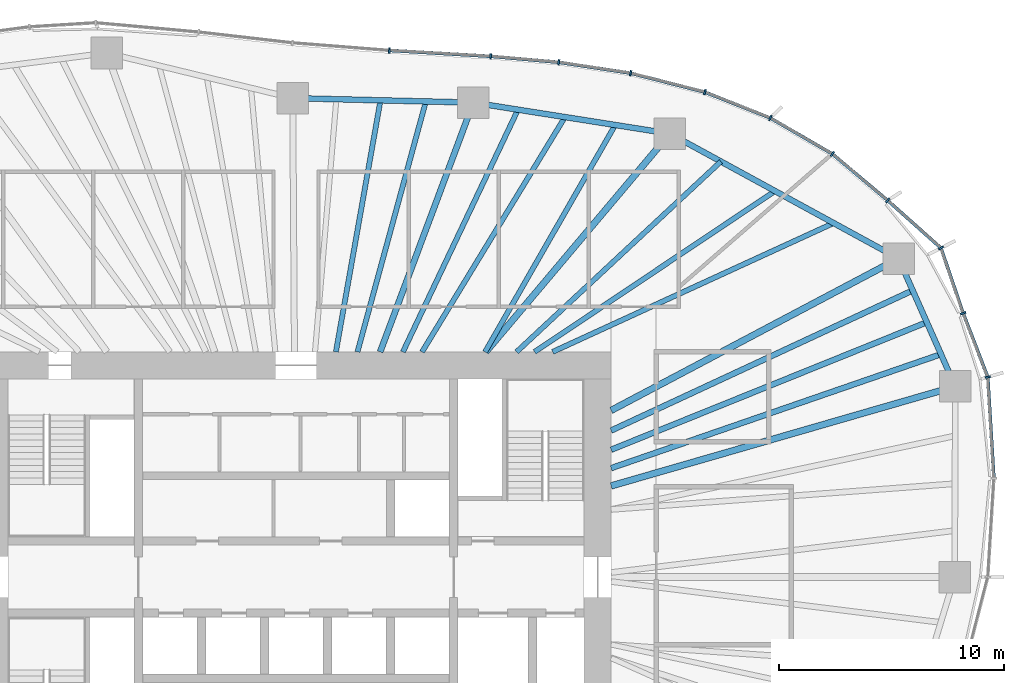
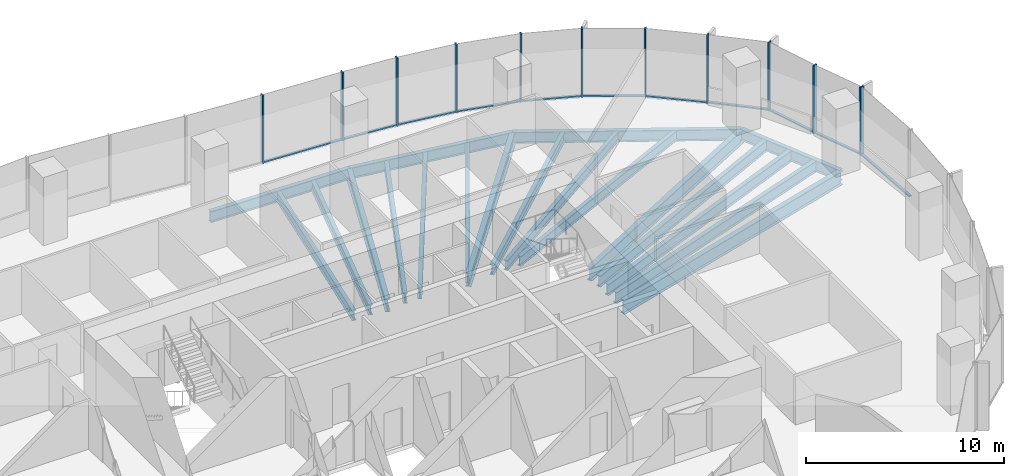
# One storey, part 6 of 18: 22 members, 19 beams, 5 elements without a shape of their own.
"""IFC4 building model written with IfcOpenShell, lengths in metres."""

from ifc_helpers import new_model, si_unit, direction, frame, origin, origin_2d, place, context, subcontext, project, spatial, rectangle, i_section, extrude, material, material_profile, profile_set, type_object, element, aggregate, save


model = new_model("IFC4")

# Units and contexts
model_context = context("Model", 3, precision=1e-05, world=origin(), true_north=direction((0.0, 1.0)))
body_context = subcontext(model_context, "Body", "Model", "MODEL_VIEW")
ifc_project = project(units=[si_unit("LENGTHUNIT", "METRE"), si_unit("AREAUNIT", "SQUARE_METRE"), si_unit("VOLUMEUNIT", "CUBIC_METRE"), si_unit("PLANEANGLEUNIT", "RADIAN"), si_unit("MASSUNIT", "GRAM", prefix="KILO")], contexts=[model_context])

# Site, building, storey
site_placement = place(None, origin())
site = spatial("IfcSite", under=ifc_project, at=site_placement, CompositionType="ELEMENT")
building_placement = place(site_placement, origin())
building = spatial("IfcBuilding", under=site, at=building_placement, Name="Ghaith Harvest Tower", CompositionType="ELEMENT")
storey_placement = place(building_placement, frame((0.0, 0.0, 168.0)))
storey = spatial("IfcBuildingStorey", under=building, at=storey_placement, Name="L36", CompositionType="ELEMENT", Elevation=168.0)

# Curtain wall, members
ifc_material_1 = material(Name="Black anodised aluminium and fritted glass", Category="aluminium")
curtain_wall_type = type_object("IfcCurtainWallType", Name="CW-L CURTAIN WALL", PredefinedType="NOTDEFINED", material=ifc_material_1)
curtain_wall_1_placement = place(storey_placement, origin())
curtain_wall_1 = element("IfcCurtainWall", 1, at=curtain_wall_1_placement, inside=storey, type_object=curtain_wall_type, Name="Curtain wall CW-L bay 02 L36", PredefinedType="NOTDEFINED")
ifc_material_2 = material(Name="Aluminium, black anodised", Category="aluminium")
ifc_material_profile_1 = material_profile(ifc_material_2, rectangle(XDim=0.080078125, YDim=0.239990234375, at=origin_2d()), Name="CW-L MULLION 80x240")
ifc_profile_set_1 = profile_set([ifc_material_profile_1], Name="Aluminium, black anodised")
member_type_1 = type_object("IfcMemberType", Name="CW-L MULLION 80x240", PredefinedType="MULLION", material=ifc_profile_set_1)
member_1_placement = place(storey_placement, frame((30.727294921875, 8.880859375, 0.0), z_axis=(0.0, 0.0, 1.0), x_axis=(-0.183070248196, 0.983099834313, 0.0)))
member_1 = element("IfcMember", 2, at=member_1_placement, type_object=member_type_1, Name="CW-L mullion 1 bay 02 L36", PredefinedType="MULLION", context=body_context, shape_type="SweptSolid", body=[
    extrude(rectangle(XDim=0.080078125, YDim=0.239990234375, at=origin_2d()), origin(), (0.0, 0.0, 1.0), 4.199951171875),
])
member_2_placement = place(storey_placement, frame((29.634521484375, 11.7158203125, 0.0), z_axis=(0.0, 0.0, 1.0), x_axis=(-0.340771198528, 0.940146260033, 0.0)))
member_2 = element("IfcMember", 3, at=member_2_placement, type_object=member_type_1, Name="CW-L mullion 2 bay 02 L36", PredefinedType="MULLION", context=body_context, shape_type="SweptSolid", body=[
    extrude(rectangle(XDim=0.080078125, YDim=0.239990234375, at=origin_2d()), origin(), (0.0, 0.0, 1.0), 4.199951171875),
])
member_3_placement = place(storey_placement, frame((28.64990234375, 14.61181640625, 0.0), z_axis=(0.0, 0.0, 1.0), x_axis=(-0.556324287652, 0.830965274225, 0.0)))
member_3 = element("IfcMember", 4, at=member_3_placement, type_object=member_type_1, Name="CW-L mullion 3 bay 02 L36", PredefinedType="MULLION", context=body_context, shape_type="SweptSolid", body=[
    extrude(rectangle(XDim=0.080078125, YDim=0.239990234375, at=origin_2d()), origin(), (0.0, 0.0, 1.0), 4.199951171875),
])

curtain_wall_2_placement = place(storey_placement, origin())
curtain_wall_2 = element("IfcCurtainWall", 5, at=curtain_wall_2_placement, inside=storey, type_object=curtain_wall_type, Name="Curtain wall CW-L bay 03 L36", PredefinedType="NOTDEFINED")
member_4_placement = place(storey_placement, frame((26.28076171875, 16.725341796875, 0.0), z_axis=(0.0, 0.0, 1.0), x_axis=(-0.755999423268, 0.654572281737, 0.0)))
member_4 = element("IfcMember", 6, at=member_4_placement, type_object=member_type_1, Name="CW-L mullion 1 bay 03 L36", PredefinedType="MULLION", context=body_context, shape_type="SweptSolid", body=[
    extrude(rectangle(XDim=0.080078125, YDim=0.239990234375, at=origin_2d()), origin(), (0.0, 0.0, 1.0), 4.199951171875),
])
member_5_placement = place(storey_placement, frame((23.82177734375, 18.792236328125, 0.0), z_axis=(0.0, 0.0, 1.0), x_axis=(-0.818228862146, 0.574892624018, 0.0)))
member_5 = element("IfcMember", 7, at=member_5_placement, type_object=member_type_1, Name="CW-L mullion 2 bay 03 L36", PredefinedType="MULLION", context=body_context, shape_type="SweptSolid", body=[
    extrude(rectangle(XDim=0.080078125, YDim=0.239990234375, at=origin_2d()), origin(), (0.0, 0.0, 1.0), 4.199951171875),
])
member_6_placement = place(storey_placement, frame((21.066162109375, 20.38916015625, 0.0), z_axis=(0.0, 0.0, 1.0), x_axis=(-0.899713343282, 0.436481270985, 0.0)))
member_6 = element("IfcMember", 8, at=member_6_placement, type_object=member_type_1, Name="CW-L mullion 3 bay 03 L36", PredefinedType="MULLION", context=body_context, shape_type="SweptSolid", body=[
    extrude(rectangle(XDim=0.080078125, YDim=0.239990234375, at=origin_2d()), origin(), (0.0, 0.0, 1.0), 4.199951171875),
])

curtain_wall_3_placement = place(storey_placement, origin())
curtain_wall_3 = element("IfcCurtainWall", 9, at=curtain_wall_3_placement, inside=storey, type_object=curtain_wall_type, Name="Curtain wall CW-L bay 04 L36", PredefinedType="NOTDEFINED")
member_7_placement = place(storey_placement, frame((18.162353515625, 21.537841796875, 0.0), z_axis=(0.0, 0.0, 1.0), x_axis=(-0.952152258113, 0.30562407852, 0.0)))
member_7 = element("IfcMember", 10, at=member_7_placement, type_object=member_type_1, Name="CW-L mullion 1 bay 04 L36", PredefinedType="MULLION", context=body_context, shape_type="SweptSolid", body=[
    extrude(rectangle(XDim=0.080078125, YDim=0.239990234375, at=origin_2d()), origin(), (0.0, 0.0, 1.0), 4.199951171875),
])
member_8_placement = place(storey_placement, frame((14.86474609375, 22.379638671875, 0.0), z_axis=(0.0, 0.0, 1.0), x_axis=(-0.979751952122, 0.200215165041, 0.0)))
member_8 = element("IfcMember", 11, at=member_8_placement, type_object=member_type_1, Name="CW-L mullion 2 bay 04 L36", PredefinedType="MULLION", context=body_context, shape_type="SweptSolid", body=[
    extrude(rectangle(XDim=0.080078125, YDim=0.239990234375, at=origin_2d()), origin(), (0.0, 0.0, 1.0), 4.199951171875),
])
member_9_placement = place(storey_placement, frame((11.672607421875, 22.864013671875, 0.0), z_axis=(0.0, 0.0, 1.0), x_axis=(-0.992800497873, 0.119779678673, 0.0)))
member_9 = element("IfcMember", 12, at=member_9_placement, type_object=member_type_1, Name="CW-L mullion 3 bay 04 L36", PredefinedType="MULLION", context=body_context, shape_type="SweptSolid", body=[
    extrude(rectangle(XDim=0.080078125, YDim=0.239990234375, at=origin_2d()), origin(), (0.0, 0.0, 1.0), 4.199951171875),
])

curtain_wall_4_placement = place(storey_placement, origin())
curtain_wall_4 = element("IfcCurtainWall", 13, at=curtain_wall_4_placement, inside=storey, type_object=curtain_wall_type, Name="Curtain wall CW-L bay 05 L36", PredefinedType="NOTDEFINED")
member_10_placement = place(storey_placement, frame((8.646728515625, 23.1298828125, 0.0), z_axis=(0.0, 0.0, 1.0), x_axis=(-0.997558767319, 0.069831982257, 0.0)))
member_10 = element("IfcMember", 14, at=member_10_placement, type_object=member_type_1, Name="CW-L mullion 1 bay 05 L36", PredefinedType="MULLION", context=body_context, shape_type="SweptSolid", body=[
    extrude(rectangle(XDim=0.080078125, YDim=0.239990234375, at=origin_2d()), origin(), (0.0, 0.0, 1.0), 4.199951171875),
])
member_11_placement = place(storey_placement, frame((4.146728515625, 23.390869140625, 0.0), z_axis=(0.0, 0.0, 1.0), x_axis=(-0.997689895047, 0.067932858925, 0.0)))
member_11 = element("IfcMember", 15, at=member_11_placement, type_object=member_type_1, Name="CW-L mullion 2 bay 05 L36", PredefinedType="MULLION", context=body_context, shape_type="SweptSolid", body=[
    extrude(rectangle(XDim=0.080078125, YDim=0.239990234375, at=origin_2d()), origin(), (0.0, 0.0, 1.0), 4.199951171875),
])

# Curtain wall, member
curtain_wall_5_placement = place(storey_placement, origin())
curtain_wall_5 = element("IfcCurtainWall", 16, at=curtain_wall_5_placement, inside=storey, type_object=curtain_wall_type, Name="Curtain wall CW-L bay 01 L36", PredefinedType="NOTDEFINED")
ifc_material_3 = material(Name="Aluminium, black anodised", Category="aluminium")
ifc_material_profile_2 = material_profile(ifc_material_3, rectangle(XDim=0.14990234375, YDim=0.080078125, at=origin_2d()), Name="CW-L TRANSOM 150x80")
ifc_profile_set_2 = profile_set([ifc_material_profile_2], Name="Aluminium, black anodised")
member_type_2 = type_object("IfcMemberType", Name="CW-L TRANSOM 150x80", PredefinedType="USERDEFINED", material=ifc_profile_set_2)
member_12_placement = place(storey_placement, frame((30.996337890625, 4.4296875, 0.0400390625), z_axis=(-0.060328261132, 0.99817859169, 0.0), x_axis=(-0.99817859169, -0.060328261132, 0.0)))
member_12 = element("IfcMember", 17, at=member_12_placement, type_object=member_type_2, Name="CW-L transom 2 bay 01 L36", ObjectType="TRANSOM", PredefinedType="USERDEFINED", context=body_context, shape_type="SweptSolid", body=[
    extrude(rectangle(XDim=0.14990234375, YDim=0.080078125, at=origin_2d()), origin(), (0.0, 0.0, 1.0), 4.419189453125),
])
aggregate(curtain_wall_5, [member_12])

# Member
member_13_placement = place(storey_placement, frame((30.712890625, 8.918212890625, 0.0400390625), z_axis=(-0.359637050526, 0.933092274048, 0.0), x_axis=(-0.933092274048, -0.359637050526, 0.0)))
member_13 = element("IfcMember", 18, at=member_13_placement, type_object=member_type_2, Name="CW-L transom 1 bay 02 L36", ObjectType="TRANSOM", PredefinedType="USERDEFINED", context=body_context, shape_type="SweptSolid", body=[
    extrude(rectangle(XDim=0.14990234375, YDim=0.080078125, at=origin_2d()), origin(), (0.0, 0.0, 1.0), 2.95849609375),
])

member_14_placement = place(storey_placement, frame((29.62158203125, 11.75390625, 0.0400390625), z_axis=(-0.321877752664, 0.946781237847, 0.0), x_axis=(-0.946781237847, -0.321877752664, 0.0)))
member_14 = element("IfcMember", 19, at=member_14_placement, type_object=member_type_2, Name="CW-L transom 2 bay 02 L36", ObjectType="TRANSOM", PredefinedType="USERDEFINED", context=body_context, shape_type="SweptSolid", body=[
    extrude(rectangle(XDim=0.14990234375, YDim=0.080078125, at=origin_2d()), origin(), (0.0, 0.0, 1.0), 2.978515625),
])

member_15_placement = place(storey_placement, frame((28.6201171875, 14.638427734375, 0.0400390625), z_axis=(-0.74622871112, 0.665689650438, 0.0), x_axis=(-0.665689650438, -0.74622871112, 0.0)))
member_15 = element("IfcMember", 20, at=member_15_placement, type_object=member_type_2, Name="CW-L transom 3 bay 02 L36", ObjectType="TRANSOM", PredefinedType="USERDEFINED", context=body_context, shape_type="SweptSolid", body=[
    extrude(rectangle(XDim=0.14990234375, YDim=0.080078125, at=origin_2d()), origin(), (0.0, 0.0, 1.0), 3.094970703125),
])

aggregate(curtain_wall_1, [member_1, member_13, member_2, member_14, member_3, member_15])

member_16_placement = place(storey_placement, frame((26.25, 16.7509765625, 0.0400390625), z_axis=(-0.765428400685, 0.643521066808, 0.0), x_axis=(-0.643521066808, -0.765428400685, 0.0)))
member_16 = element("IfcMember", 21, at=member_16_placement, type_object=member_type_2, Name="CW-L transom 1 bay 03 L36", ObjectType="TRANSOM", PredefinedType="USERDEFINED", context=body_context, shape_type="SweptSolid", body=[
    extrude(rectangle(XDim=0.14990234375, YDim=0.080078125, at=origin_2d()), origin(), (0.0, 0.0, 1.0), 3.132080078125),
])

member_17_placement = place(storey_placement, frame((23.787353515625, 18.812255859375, 0.0400390625), z_axis=(-0.865212673937, 0.50140505468, 0.0), x_axis=(-0.50140505468, -0.865212673937, 0.0)))
member_17 = element("IfcMember", 22, at=member_17_placement, type_object=member_type_2, Name="CW-L transom 2 bay 03 L36", ObjectType="TRANSOM", PredefinedType="USERDEFINED", context=body_context, shape_type="SweptSolid", body=[
    extrude(rectangle(XDim=0.14990234375, YDim=0.080078125, at=origin_2d()), origin(), (0.0, 0.0, 1.0), 3.10498046875),
])

member_18_placement = place(storey_placement, frame((21.029052734375, 20.40380859375, 0.0400390625), z_axis=(-0.929880954826, 0.367860584804, 0.0), x_axis=(-0.367860584804, -0.929880954826, 0.0)))
member_18 = element("IfcMember", 23, at=member_18_placement, type_object=member_type_2, Name="CW-L transom 3 bay 03 L36", ObjectType="TRANSOM", PredefinedType="USERDEFINED", context=body_context, shape_type="SweptSolid", body=[
    extrude(rectangle(XDim=0.14990234375, YDim=0.080078125, at=origin_2d()), origin(), (0.0, 0.0, 1.0), 3.04296875),
])

aggregate(curtain_wall_2, [member_4, member_16, member_5, member_17, member_6, member_18])

member_19_placement = place(storey_placement, frame((18.12353515625, 21.5478515625, 0.0400390625), z_axis=(-0.968942433805, 0.247286392614, 0.0), x_axis=(-0.247286392614, -0.968942433805, 0.0)))
member_19 = element("IfcMember", 24, at=member_19_placement, type_object=member_type_2, Name="CW-L transom 1 bay 04 L36", ObjectType="TRANSOM", PredefinedType="USERDEFINED", context=body_context, shape_type="SweptSolid", body=[
    extrude(rectangle(XDim=0.14990234375, YDim=0.080078125, at=origin_2d()), origin(), (0.0, 0.0, 1.0), 3.3232421875),
])

member_20_placement = place(storey_placement, frame((14.8251953125, 22.3857421875, 0.0400390625), z_axis=(-0.988680676153, 0.150035064572, 0.0), x_axis=(-0.150035064572, -0.988680676153, 0.0)))
member_20 = element("IfcMember", 25, at=member_20_placement, type_object=member_type_2, Name="CW-L transom 2 bay 04 L36", ObjectType="TRANSOM", PredefinedType="USERDEFINED", context=body_context, shape_type="SweptSolid", body=[
    extrude(rectangle(XDim=0.14990234375, YDim=0.080078125, at=origin_2d()), origin(), (0.0, 0.0, 1.0), 3.148681640625),
])

member_21_placement = place(storey_placement, frame((11.632568359375, 22.86767578125, 0.0400390625), z_axis=(-0.996171193061, 0.087423990507, 0.0), x_axis=(-0.087423990507, -0.996171193061, 0.0)))
member_21 = element("IfcMember", 26, at=member_21_placement, type_object=member_type_2, Name="CW-L transom 3 bay 04 L36", ObjectType="TRANSOM", PredefinedType="USERDEFINED", context=body_context, shape_type="SweptSolid", body=[
    extrude(rectangle(XDim=0.14990234375, YDim=0.080078125, at=origin_2d()), origin(), (0.0, 0.0, 1.0), 2.957275390625),
])

aggregate(curtain_wall_3, [member_7, member_19, member_8, member_20, member_9, member_21])

member_22_placement = place(storey_placement, frame((8.60693359375, 23.132080078125, 0.0400390625), z_axis=(-0.998319515187, 0.057949509028, 0.0), x_axis=(-0.057949509028, -0.998319515187, 0.0)))
member_22 = element("IfcMember", 27, at=member_22_placement, type_object=member_type_2, Name="CW-L transom 1 bay 05 L36", ObjectType="TRANSOM", PredefinedType="USERDEFINED", context=body_context, shape_type="SweptSolid", body=[
    extrude(rectangle(XDim=0.14990234375, YDim=0.080078125, at=origin_2d()), origin(), (0.0, 0.0, 1.0), 4.427734375),
])

aggregate(curtain_wall_4, [member_10, member_22, member_11])

# Beams
ifc_material_4 = material(Name="Steel ASTM A992 Grade 50", Category="steel")
ifc_material_profile_3 = material_profile(ifc_material_4, i_section(OverallWidth=0.25390625, OverallDepth=0.68408203125, WebThickness=0.012451171875, FlangeThickness=0.018798828125, at=origin_2d()), Name="W690X140")
ifc_profile_set_3 = profile_set([ifc_material_profile_3], Name="Steel ASTM A992 Grade 50")
beam_type_1 = type_object("IfcBeamType", Name="E690-140 W690X140", PredefinedType="SPANDREL", material=ifc_profile_set_3)
beam_1_placement = place(storey_placement, frame((29.285888671875, 8.464111328125, -0.511962890625), z_axis=(-0.405635615749, 0.914034872002, 0.0), x_axis=(-0.914034872002, -0.405635615749, 0.0)))
element("IfcBeam", 28, at=beam_1_placement, inside=storey, type_object=beam_type_1, Name="Edge beam E02 L36", PredefinedType="SPANDREL", context=body_context, shape_type="SweptSolid", body=[
    extrude(i_section(OverallWidth=0.25390625, OverallDepth=0.68408203125, WebThickness=0.012451171875, FlangeThickness=0.018798828125, at=origin_2d()), origin(), (0.0, 0.0, 1.0), 6.21728515625),
])
beam_2_placement = place(storey_placement, frame((26.763916015625, 14.14697265625, -0.511962890625), z_axis=(-0.877588218279, 0.479415184509, 0.0), x_axis=(-0.479415184509, -0.877588218279, 0.0)))
element("IfcBeam", 29, at=beam_2_placement, inside=storey, type_object=beam_type_1, Name="Edge beam E03 L36", PredefinedType="SPANDREL", context=body_context, shape_type="SweptSolid", body=[
    extrude(i_section(OverallWidth=0.25390625, OverallDepth=0.68408203125, WebThickness=0.012451171875, FlangeThickness=0.018798828125, at=origin_2d()), origin(), (0.0, 0.0, 1.0), 11.57275390625),
])
beam_3_placement = place(storey_placement, frame((16.60791015625, 19.695068359375, -0.511962890625), z_axis=(-0.987788485872, 0.155800857439, 0.0), x_axis=(-0.155800857439, -0.987788485872, 0.0)))
element("IfcBeam", 30, at=beam_3_placement, inside=storey, type_object=beam_type_1, Name="Edge beam E04 L36", PredefinedType="SPANDREL", context=body_context, shape_type="SweptSolid", body=[
    extrude(i_section(OverallWidth=0.25390625, OverallDepth=0.68408203125, WebThickness=0.012451171875, FlangeThickness=0.018798828125, at=origin_2d()), origin(), (0.0, 0.0, 1.0), 8.837890625),
])
beam_4_placement = place(storey_placement, frame((7.8779296875, 21.072021484375, -0.511962890625), z_axis=(-0.999692679676, 0.024790042413, 0.0), x_axis=(-0.024790042413, -0.999692679676, 0.0)))
element("IfcBeam", 31, at=beam_4_placement, inside=storey, type_object=beam_type_1, Name="Edge beam E05 L36", PredefinedType="SPANDREL", context=body_context, shape_type="SweptSolid", body=[
    extrude(i_section(OverallWidth=0.25390625, OverallDepth=0.68408203125, WebThickness=0.012451171875, FlangeThickness=0.018798828125, at=origin_2d()), origin(), (0.0, 0.0, 1.0), 8.0263671875),
])
ifc_material_5 = material(Name="Steel ASTM A992 Grade 50", Category="steel")
ifc_material_profile_4 = material_profile(ifc_material_5, i_section(OverallWidth=0.26806640625, OverallDepth=0.77001953125, WebThickness=0.015625, FlangeThickness=0.025390625, at=origin_2d()), Name="W760X196")
ifc_profile_set_4 = profile_set([ifc_material_profile_4], Name="Steel ASTM A992 Grade 50")
beam_type_2 = type_object("IfcBeamType", Name="G760-196 W760X196", PredefinedType="BEAM", material=ifc_profile_set_4)
beam_5_placement = place(storey_placement, frame((3.73828125, 10.0, -0.554931640625), z_axis=(0.350206582147, 0.936672488024, 0.0), x_axis=(-0.936672488024, 0.350206582147, 0.0)))
element("IfcBeam", 32, at=beam_5_placement, inside=storey, type_object=beam_type_2, Name="Radial girder G05 L36", PredefinedType="BEAM", context=body_context, shape_type="SweptSolid", body=[
    extrude(i_section(OverallWidth=0.26806640625, OverallDepth=0.77001953125, WebThickness=0.015625, FlangeThickness=0.025390625, at=origin_2d()), origin(), (0.0, 0.0, 1.0), 11.820556640625),
])
ifc_material_6 = material(Name="Steel ASTM A992 Grade 50", Category="steel")
ifc_material_profile_5 = material_profile(ifc_material_6, i_section(OverallWidth=0.2939453125, OverallDepth=0.85107421875, WebThickness=0.01611328125, FlangeThickness=0.02685546875, at=origin_2d()), Name="W840X226")
ifc_profile_set_5 = profile_set([ifc_material_profile_5], Name="Steel ASTM A992 Grade 50")
beam_type_3 = type_object("IfcBeamType", Name="G840-226 W840X226", PredefinedType="BEAM", material=ifc_profile_set_5)
beam_6_placement = place(storey_placement, frame((14.0, 4.04638671875, -0.595458984375), z_axis=(0.960683993303, 0.27764413376, 0.0), x_axis=(-0.27764413376, 0.960683993303, 0.0)))
element("IfcBeam", 33, at=beam_6_placement, inside=storey, type_object=beam_type_3, Name="Radial girder G02 L36", PredefinedType="BEAM", context=body_context, shape_type="SweptSolid", body=[
    extrude(i_section(OverallWidth=0.2939453125, OverallDepth=0.85107421875, WebThickness=0.01611328125, FlangeThickness=0.02685546875, at=origin_2d()), origin(), (0.0, 0.0, 1.0), 15.911376953125),
])
beam_7_placement = place(storey_placement, frame((14.0, 7.39990234375, -0.595458984375), z_axis=(0.884082663971, 0.467330550324, 0.0), x_axis=(-0.467330550324, 0.884082663971, 0.0)))
element("IfcBeam", 34, at=beam_7_placement, inside=storey, type_object=beam_type_3, Name="Radial girder G03 L36", PredefinedType="BEAM", context=body_context, shape_type="SweptSolid", body=[
    extrude(i_section(OverallWidth=0.2939453125, OverallDepth=0.85107421875, WebThickness=0.01611328125, FlangeThickness=0.02685546875, at=origin_2d()), origin(), (0.0, 0.0, 1.0), 14.4375),
])
beam_8_placement = place(storey_placement, frame((8.4326171875, 10.0, -0.595458984375), z_axis=(0.644644245772, 0.764482698557, 0.0), x_axis=(-0.764482698557, 0.644644245772, 0.0)))
element("IfcBeam", 35, at=beam_8_placement, inside=storey, type_object=beam_type_3, Name="Radial girder G04 L36", PredefinedType="BEAM", context=body_context, shape_type="SweptSolid", body=[
    extrude(i_section(OverallWidth=0.2939453125, OverallDepth=0.85107421875, WebThickness=0.01611328125, FlangeThickness=0.02685546875, at=origin_2d()), origin(), (0.0, 0.0, 1.0), 12.681884765625),
])
ifc_material_7 = material(Name="Steel ASTM A992 Grade 50", Category="steel")
ifc_material_profile_6 = material_profile(ifc_material_7, i_section(OverallWidth=0.22900390625, OverallDepth=0.612060546875, WebThickness=0.011962890625, FlangeThickness=0.01953125, at=origin_2d()), Name="W610X125")
ifc_profile_set_6 = profile_set([ifc_material_profile_6], Name="Steel ASTM A992 Grade 50")
beam_type_4 = type_object("IfcBeamType", Name="J610-125 W610X125", PredefinedType="JOIST", material=ifc_profile_set_6)
beam_9_placement = place(storey_placement, frame((11.39990234375, 10.0, -0.47607421875), z_axis=(0.909014022454, 0.416765529983, 0.0), x_axis=(-0.416765529983, 0.909014022454, 0.0)))
element("IfcBeam", 36, at=beam_9_placement, inside=storey, type_object=beam_type_4, Name="Joist J03.1 L36", PredefinedType="JOIST", context=body_context, shape_type="SweptSolid", body=[
    extrude(i_section(OverallWidth=0.22900390625, OverallDepth=0.612060546875, WebThickness=0.011962890625, FlangeThickness=0.01953125, at=origin_2d()), origin(), (0.0, 0.0, 1.0), 13.72998046875),
])
beam_10_placement = place(storey_placement, frame((10.60009765625, 10.0, -0.47607421875), z_axis=(0.831116486766, 0.556098359489, 0.0), x_axis=(-0.556098359489, 0.831116486766, 0.0)))
element("IfcBeam", 37, at=beam_10_placement, inside=storey, type_object=beam_type_4, Name="Joist J03.2 L36", PredefinedType="JOIST", context=body_context, shape_type="SweptSolid", body=[
    extrude(i_section(OverallWidth=0.22900390625, OverallDepth=0.612060546875, WebThickness=0.011962890625, FlangeThickness=0.01953125, at=origin_2d()), origin(), (0.0, 0.0, 1.0), 12.84716796875),
])
beam_11_placement = place(storey_placement, frame((9.800048828125, 10.0, -0.47607421875), z_axis=(0.731538123562, 0.681800538116, 0.0), x_axis=(-0.681800538116, 0.731538123562, 0.0)))
element("IfcBeam", 38, at=beam_11_placement, inside=storey, type_object=beam_type_4, Name="Joist J03.3 L36", PredefinedType="JOIST", context=body_context, shape_type="SweptSolid", body=[
    extrude(i_section(OverallWidth=0.22900390625, OverallDepth=0.612060546875, WebThickness=0.011962890625, FlangeThickness=0.01953125, at=origin_2d()), origin(), (0.0, 0.0, 1.0), 12.404052734375),
])
beam_12_placement = place(storey_placement, frame((8.39990234375, 10.0, -0.47607421875), z_axis=(0.497444212127, 0.867495968764, 0.0), x_axis=(-0.867495968764, 0.497444212127, 0.0)))
element("IfcBeam", 39, at=beam_12_placement, inside=storey, type_object=beam_type_4, Name="Joist J04.1 L36", PredefinedType="JOIST", context=body_context, shape_type="SweptSolid", body=[
    extrude(i_section(OverallWidth=0.22900390625, OverallDepth=0.612060546875, WebThickness=0.011962890625, FlangeThickness=0.01953125, at=origin_2d()), origin(), (0.0, 0.0, 1.0), 11.617431640625),
])
beam_13_placement = place(storey_placement, frame((5.60009765625, 10.0, -0.47607421875), z_axis=(0.519863845761, 0.854249133374, 0.0), x_axis=(-0.854249133374, 0.519863845761, 0.0)))
element("IfcBeam", 40, at=beam_13_placement, inside=storey, type_object=beam_type_4, Name="Joist J04.2 L36", PredefinedType="JOIST", context=body_context, shape_type="SweptSolid", body=[
    extrude(i_section(OverallWidth=0.22900390625, OverallDepth=0.612060546875, WebThickness=0.011962890625, FlangeThickness=0.01953125, at=origin_2d()), origin(), (0.0, 0.0, 1.0), 12.209716796875),
])
beam_14_placement = place(storey_placement, frame((4.75, 10.0, -0.47607421875), z_axis=(0.429069356877, 0.903271546651, 0.0), x_axis=(-0.903271546651, 0.429069356877, 0.0)))
element("IfcBeam", 41, at=beam_14_placement, inside=storey, type_object=beam_type_4, Name="Joist J04.3 L36", PredefinedType="JOIST", context=body_context, shape_type="SweptSolid", body=[
    extrude(i_section(OverallWidth=0.22900390625, OverallDepth=0.612060546875, WebThickness=0.011962890625, FlangeThickness=0.01953125, at=origin_2d()), origin(), (0.0, 0.0, 1.0), 11.911376953125),
])
beam_15_placement = place(storey_placement, frame((2.73095703125, 10.0, -0.47607421875), z_axis=(0.263455967932, 0.964671422279, 0.0), x_axis=(-0.964671422279, 0.263455967932, 0.0)))
element("IfcBeam", 42, at=beam_15_placement, inside=storey, type_object=beam_type_4, Name="Joist J05.1 L36", PredefinedType="JOIST", context=body_context, shape_type="SweptSolid", body=[
    extrude(i_section(OverallWidth=0.22900390625, OverallDepth=0.612060546875, WebThickness=0.011962890625, FlangeThickness=0.01953125, at=origin_2d()), origin(), (0.0, 0.0, 1.0), 11.53173828125),
])
beam_16_placement = place(storey_placement, frame((1.772705078125, 10.0, -0.47607421875), z_axis=(0.17455599258, 0.984647249249, 0.0), x_axis=(-0.984647249249, 0.17455599258, 0.0)))
element("IfcBeam", 43, at=beam_16_placement, inside=storey, type_object=beam_type_4, Name="Joist J05.2 L36", PredefinedType="JOIST", context=body_context, shape_type="SweptSolid", body=[
    extrude(i_section(OverallWidth=0.22900390625, OverallDepth=0.612060546875, WebThickness=0.011962890625, FlangeThickness=0.01953125, at=origin_2d()), origin(), (0.0, 0.0, 1.0), 11.3486328125),
])
ifc_material_8 = material(Name="Steel ASTM A992 Grade 50", Category="steel")
ifc_material_profile_7 = material_profile(ifc_material_8, i_section(OverallWidth=0.25390625, OverallDepth=0.68408203125, WebThickness=0.012451171875, FlangeThickness=0.018798828125, at=origin_2d()), Name="W690X140")
ifc_profile_set_7 = profile_set([ifc_material_profile_7], Name="Steel ASTM A992 Grade 50")
beam_type_5 = type_object("IfcBeamType", Name="J690-140 W690X140", PredefinedType="JOIST", material=ifc_profile_set_7)
beam_17_placement = place(storey_placement, frame((14.0, 4.835693359375, -0.511962890625), z_axis=(0.945204964965, 0.32647752481, 0.0), x_axis=(-0.32647752481, 0.945204964965, 0.0)))
element("IfcBeam", 44, at=beam_17_placement, inside=storey, type_object=beam_type_5, Name="Joist J02.1 L36", PredefinedType="JOIST", context=body_context, shape_type="SweptSolid", body=[
    extrude(i_section(OverallWidth=0.25390625, OverallDepth=0.68408203125, WebThickness=0.012451171875, FlangeThickness=0.018798828125, at=origin_2d()), origin(), (0.0, 0.0, 1.0), 15.499755859375),
])
beam_18_placement = place(storey_placement, frame((14.0, 5.653564453125, -0.511962890625), z_axis=(0.927247874511, 0.374448099495, 0.0), x_axis=(-0.374448099495, 0.927247874511, 0.0)))
element("IfcBeam", 45, at=beam_18_placement, inside=storey, type_object=beam_type_5, Name="Joist J02.2 L36", PredefinedType="JOIST", context=body_context, shape_type="SweptSolid", body=[
    extrude(i_section(OverallWidth=0.25390625, OverallDepth=0.68408203125, WebThickness=0.012451171875, FlangeThickness=0.018798828125, at=origin_2d()), origin(), (0.0, 0.0, 1.0), 15.12060546875),
])
beam_19_placement = place(storey_placement, frame((14.0, 6.506103515625, -0.511962890625), z_axis=(0.906865717917, 0.42141970726, 0.0), x_axis=(-0.42141970726, 0.906865717917, 0.0)))
element("IfcBeam", 46, at=beam_19_placement, inside=storey, type_object=beam_type_5, Name="Joist J02.3 L36", PredefinedType="JOIST", context=body_context, shape_type="SweptSolid", body=[
    extrude(i_section(OverallWidth=0.25390625, OverallDepth=0.68408203125, WebThickness=0.012451171875, FlangeThickness=0.018798828125, at=origin_2d()), origin(), (0.0, 0.0, 1.0), 14.768310546875),
])

save(model, "model.ifc")
